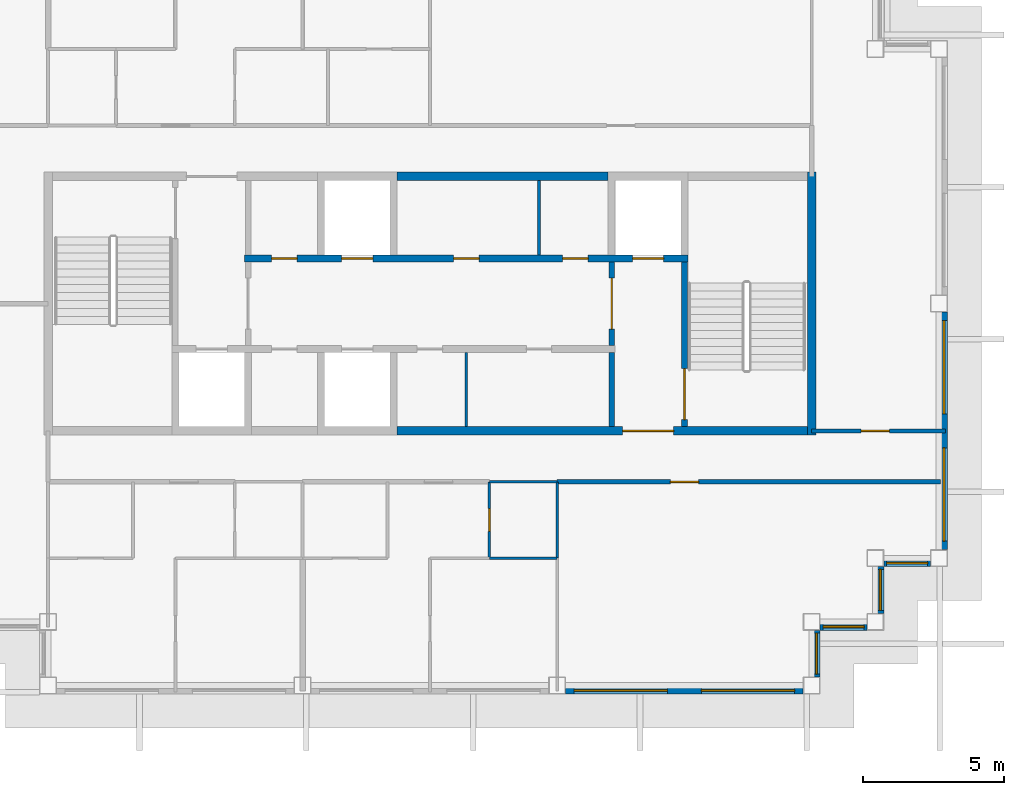
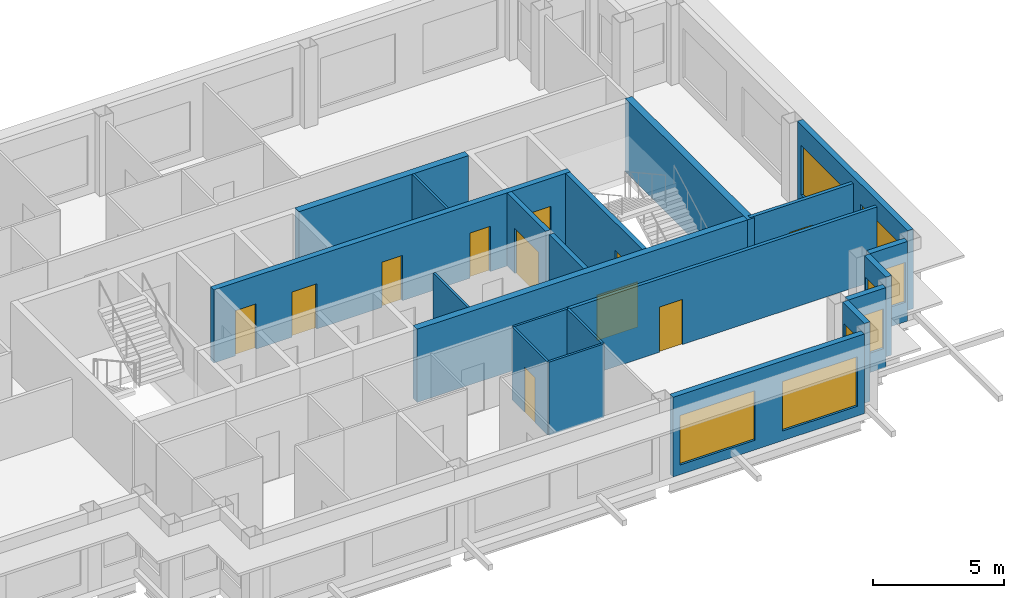
# One storey, part 5 of 11: 21 walls, 11 doors, 8 windows, 19 openings.
"""IFC4 building model written with IfcOpenShell, lengths in metres."""

from ifc_helpers import new_model, si_unit, direction, frame, frame_2d, origin, place, context, subcontext, project, spatial, rectangle, extrude, material, layer, layer_set, type_object, element, fill, save


model = new_model("IFC4")

# Units and contexts
model_context = context("Model", 3, precision=1e-05, world=origin(), true_north=direction((0.0, 1.0)))
body_context = subcontext(model_context, "Body", "Model", "MODEL_VIEW")
ifc_project = project(units=[si_unit("LENGTHUNIT", "METRE"), si_unit("AREAUNIT", "SQUARE_METRE"), si_unit("VOLUMEUNIT", "CUBIC_METRE"), si_unit("PLANEANGLEUNIT", "RADIAN"), si_unit("MASSUNIT", "GRAM", prefix="KILO")], contexts=[model_context])

# Site, building, storey
site_placement = place(None, origin())
site = spatial("IfcSite", under=ifc_project, at=site_placement, CompositionType="ELEMENT")
building_placement = place(site_placement, origin())
building = spatial("IfcBuilding", under=site, at=building_placement, Name="Caravel Reach Hotel and Residences", CompositionType="ELEMENT")
storey_placement = place(building_placement, frame((0.0, 0.0, 249.0)))
storey = spatial("IfcBuildingStorey", under=building, at=storey_placement, Name="L63", CompositionType="ELEMENT", Elevation=249.0)

# Walls
ifc_material_1 = material(Name="Gypsum board on steel stud", Category="steel")
ifc_layer_1 = layer(ifc_material_1, 0.10009765625)
ifc_layer_set_1 = layer_set([ifc_layer_1], Name="Bathroom pod wall 100 mm")
wall_type_1 = type_object("IfcWallType", Name="Bathroom pod wall 100 mm", PredefinedType="PARTITIONING", material=ifc_layer_set_1)
for number, where, z_axis, x_axis, name in (
    (1, (33.60009765625, 18.0, 0.0), (0.0, 0.0, 1.0), (1.0, 0.0, 0.0), "L63 wall w054"),
    (2, (33.60009765625, 20.699951171875, 0.0), (0.0, 0.0, 1.0), (1.0, 0.0, 0.0), "L63 wall w056"),
):
    element("IfcWall", number, at=place(storey_placement, frame(where, z_axis=z_axis, x_axis=x_axis)), inside=storey, type_object=wall_type_1, Name=name, PredefinedType="PARTITIONING", context=body_context, shape_type="SweptSolid", body=[
        extrude(rectangle(XDim=2.39990234375, YDim=0.10009765625, at=frame_2d((1.199951171875, 0.0))), origin(), (0.0, 0.0, 1.0), 3.39990234375),
    ])

# Wall, opening, door
wall_1_placement = place(storey_placement, frame((33.60009765625, 18.0, 0.0), z_axis=(0.0, 0.0, 1.0), x_axis=(0.0, 1.0, 0.0)))
wall_1 = element("IfcWall", 3, at=wall_1_placement, inside=storey, type_object=wall_type_1, Name="L63 wall w065", PredefinedType="PARTITIONING", context=body_context, shape_type="SweptSolid", body=[
    extrude(rectangle(XDim=2.699951171875, YDim=0.10009765625, at=frame_2d((1.35009765625, 0.0))), origin(), (0.0, 0.0, 1.0), 3.39990234375),
])
opening_1_placement = place(wall_1_placement, frame((0.949951171875, 0.0, 0.0)))
opening_1 = element("IfcOpeningElement", 4, at=opening_1_placement, cuts=wall_1, Name="Opening D63-035", PredefinedType="OPENING", context=body_context, shape_type="SweptSolid", body=[
    extrude(rectangle(XDim=0.800048828125, YDim=2.10009765625, at=frame_2d((0.39990234375, 1.050048828125))), frame((0.0, 0.06005859375, 0.0), z_axis=(0.0, -1.0, 0.0), x_axis=(1.0, 0.0, 0.0)), (0.0, 0.0, 1.0), 0.1201171875),
])
ifc_material_2 = material(Name="Timber and steel door leaf", Category="steel")
door_type_1 = type_object("IfcDoorType", Name="Bathroom door 800 x 2100", OperationType="SINGLE_SWING_LEFT", PredefinedType="DOOR", material=ifc_material_2)
door_1_placement = place(opening_1_placement, origin())
door_1 = element("IfcDoor", 5, at=door_1_placement, inside=storey, type_object=door_type_1, Name="door D63-035", OperationType="SINGLE_SWING_RIGHT", OverallHeight=2.10009765625, OverallWidth=0.800048828125, PredefinedType="DOOR", context=body_context, shape_type="SweptSolid", body=[
    extrude(rectangle(XDim=0.800048828125, YDim=2.10009765625, at=frame_2d((0.39990234375, 1.050048828125))), frame((0.0, 0.02490234375, 0.0), z_axis=(0.0, -1.0, 0.0), x_axis=(1.0, 0.0, 0.0)), (0.0, 0.0, 1.0), 0.050048828125),
])
fill(opening_1, door_1)

# Walls
wall_2_placement = place(storey_placement, frame((36.0, 18.0, 0.0), z_axis=(0.0, 0.0, 1.0), x_axis=(0.0, 1.0, 0.0)))
element("IfcWall", 6, at=wall_2_placement, inside=storey, type_object=wall_type_1, Name="L63 wall w066", PredefinedType="PARTITIONING", context=body_context, shape_type="SweptSolid", body=[
    extrude(rectangle(XDim=2.699951171875, YDim=0.10009765625, at=frame_2d((1.35009765625, 0.0))), origin(), (0.0, 0.0, 1.0), 3.39990234375),
])
ifc_material_3 = material(Name="Autoclaved aerated block wall")
ifc_layer_2 = layer(ifc_material_3, 0.199951171875)
ifc_layer_set_2 = layer_set([ifc_layer_2], Name="Compartment wall 200 mm EI 120")
wall_type_2 = type_object("IfcWallType", Name="Compartment wall 200 mm EI 120", PredefinedType="PARTITIONING", material=ifc_layer_set_2)
wall_3_placement = place(storey_placement, frame((37.928466796875, 22.64990234375, 0.0), z_axis=(0.0, 0.0, 1.0), x_axis=(0.0, 1.0, 0.0)))
element("IfcWall", 7, at=wall_3_placement, inside=storey, type_object=wall_type_2, Name="L63 store partition", PredefinedType="PARTITIONING", context=body_context, shape_type="SweptSolid", body=[
    extrude(rectangle(XDim=2.625, YDim=0.199951171875, at=frame_2d((1.3125, 0.0))), origin(), (0.0, 0.0, 1.0), 3.39990234375),
])

# Wall, opening, door
ifc_material_4 = material(Name="Concrete C60", Category="concrete")
ifc_layer_3 = layer(ifc_material_4, 0.300048828125)
ifc_layer_set_3 = layer_set([ifc_layer_3], Name="Core wall 300 mm EI 120")
wall_type_3 = type_object("IfcWallType", Name="Core wall 300 mm EI 120", PredefinedType="SHEAR", material=ifc_layer_set_3)
wall_4_placement = place(storey_placement, frame((30.33935546875, 22.5, 0.0), z_axis=(0.0, 0.0, 1.0), x_axis=(1.0, 0.0, 0.0)))
wall_4 = element("IfcWall", 8, at=wall_4_placement, inside=storey, type_object=wall_type_3, Name="L63 core wall S3", PredefinedType="SHEAR", context=body_context, shape_type="SweptSolid", body=[
    extrude(rectangle(XDim=14.5107421875, YDim=0.300048828125, at=frame_2d((7.25537109375, 0.0))), origin(), (0.0, 0.0, 1.0), 3.39990234375),
])
opening_2_placement = place(wall_4_placement, frame((7.97509765625, 0.0, 0.0)))
opening_2 = element("IfcOpeningElement", 9, at=opening_2_placement, cuts=wall_4, Name="Opening D63-016", PredefinedType="OPENING", context=body_context, shape_type="SweptSolid", body=[
    extrude(rectangle(XDim=1.800048828125, YDim=2.10009765625, at=frame_2d((0.89990234375, 1.050048828125))), frame((0.0, 0.159912109375, 0.0), z_axis=(0.0, -1.0, 0.0), x_axis=(1.0, 0.0, 0.0)), (0.0, 0.0, 1.0), 0.320068359375),
])
ifc_material_5 = material(Name="Steel fire door leaf", Category="steel")
door_type_2 = type_object("IfcDoorType", Name="Fire lobby door pair 1800 x 2100 EI 90", OperationType="DOUBLE_DOOR_SINGLE_SWING", PredefinedType="DOOR", material=ifc_material_5)
door_2_placement = place(opening_2_placement, origin())
door_2 = element("IfcDoor", 10, at=door_2_placement, inside=storey, type_object=door_type_2, Name="lobby S door pair to corridor", OperationType="DOUBLE_DOOR_SINGLE_SWING", OverallHeight=2.10009765625, OverallWidth=1.800048828125, PredefinedType="DOOR", context=body_context, shape_type="SweptSolid", body=[
    extrude(rectangle(XDim=1.800048828125, YDim=2.10009765625, at=frame_2d((0.89990234375, 1.050048828125))), frame((0.0, 0.02490234375, 0.0), z_axis=(0.0, -1.0, 0.0), x_axis=(1.0, 0.0, 0.0)), (0.0, 0.0, 1.0), 0.050048828125),
])
fill(opening_2, door_2)

# Walls
wall_5_placement = place(storey_placement, frame((30.33935546875, 31.5, 0.0), z_axis=(0.0, 0.0, 1.0), x_axis=(1.0, 0.0, 0.0)))
element("IfcWall", 11, at=wall_5_placement, inside=storey, type_object=wall_type_3, Name="L63 core wall N2", PredefinedType="SHEAR", context=body_context, shape_type="SweptSolid", body=[
    extrude(rectangle(XDim=7.464111328125, YDim=0.300048828125, at=frame_2d((3.73193359375, 0.0))), origin(), (0.0, 0.0, 1.0), 3.39990234375),
])
wall_6_placement = place(storey_placement, frame((45.0, 22.35009765625, 0.0), z_axis=(0.0, 0.0, 1.0), x_axis=(0.0, 1.0, 0.0)))
element("IfcWall", 12, at=wall_6_placement, inside=storey, type_object=wall_type_3, Name="L63 core wall E", PredefinedType="SHEAR", context=body_context, shape_type="SweptSolid", body=[
    extrude(rectangle(XDim=9.2998046875, YDim=0.300048828125, at=frame_2d((4.64990234375, 0.0))), origin(), (0.0, 0.0, 1.0), 3.39990234375),
])

# Wall, opening, door
ifc_material_6 = material(Name="Gypsum board on steel stud, fire-rated", Category="steel")
ifc_layer_4 = layer(ifc_material_6, 0.14990234375)
ifc_layer_set_4 = layer_set([ifc_layer_4], Name="Corridor wall 150 mm EI 60")
wall_type_4 = type_object("IfcWallType", Name="Corridor wall 150 mm EI 60", PredefinedType="PARTITIONING", material=ifc_layer_set_4)
wall_7_placement = place(storey_placement, frame((36.0, 20.699951171875, 0.0), z_axis=(0.0, 0.0, 1.0), x_axis=(1.0, 0.0, 0.0)))
wall_7 = element("IfcWall", 13, at=wall_7_placement, inside=storey, type_object=wall_type_4, Name="L63 wall w005", PredefinedType="PARTITIONING", context=body_context, shape_type="SweptSolid", body=[
    extrude(rectangle(XDim=13.550048828125, YDim=0.14990234375, at=frame_2d((6.77490234375, 0.0))), origin(), (0.0, 0.0, 1.0), 3.39990234375),
])
opening_3_placement = place(wall_7_placement, frame((4.0, 0.0, 0.0)))
opening_3 = element("IfcOpeningElement", 14, at=opening_3_placement, cuts=wall_7, Name="Opening D63-037", PredefinedType="OPENING", context=body_context, shape_type="SweptSolid", body=[
    extrude(rectangle(XDim=1.0, YDim=2.10009765625, at=frame_2d((0.5, 1.050048828125))), frame((0.0, 0.0849609375, 0.0), z_axis=(0.0, -1.0, 0.0), x_axis=(1.0, 0.0, 0.0)), (0.0, 0.0, 1.0), 0.169921875),
])
ifc_material_7 = material(Name="Steel fire door leaf", Category="steel")
door_type_3 = type_object("IfcDoorType", Name="Fire door 1000 x 2100 EI 60", OperationType="SINGLE_SWING_LEFT", PredefinedType="DOOR", material=ifc_material_7)
door_3_placement = place(opening_3_placement, origin())
door_3 = element("IfcDoor", 15, at=door_3_placement, inside=storey, type_object=door_type_3, Name="door D63-037", OperationType="SINGLE_SWING_RIGHT", OverallHeight=2.10009765625, OverallWidth=1.0, PredefinedType="DOOR", context=body_context, shape_type="SweptSolid", body=[
    extrude(rectangle(XDim=1.0, YDim=2.10009765625, at=frame_2d((0.5, 1.050048828125))), frame((0.0, 0.02490234375, 0.0), z_axis=(0.0, -1.0, 0.0), x_axis=(1.0, 0.0, 0.0)), (0.0, 0.0, 1.0), 0.050048828125),
])
fill(opening_3, door_3)

wall_8_placement = place(storey_placement, frame((45.0, 22.5, 0.0), z_axis=(0.0, 0.0, 1.0), x_axis=(1.0, 0.0, 0.0)))
wall_8 = element("IfcWall", 16, at=wall_8_placement, inside=storey, type_object=wall_type_4, Name="L63 wall w007", PredefinedType="PARTITIONING", context=body_context, shape_type="SweptSolid", body=[
    extrude(rectangle(XDim=4.739990234375, YDim=0.14990234375, at=frame_2d((2.3701171875, 0.0))), origin(), (0.0, 0.0, 1.0), 3.39990234375),
])
opening_4_placement = place(wall_8_placement, frame((1.75, 0.0, 0.0)))
opening_4 = element("IfcOpeningElement", 17, at=opening_4_placement, cuts=wall_8, Name="Opening D63-039", PredefinedType="OPENING", context=body_context, shape_type="SweptSolid", body=[
    extrude(rectangle(XDim=1.0, YDim=2.10009765625, at=frame_2d((0.5, 1.050048828125))), frame((0.0, 0.0849609375, 0.0), z_axis=(0.0, -1.0, 0.0), x_axis=(1.0, 0.0, 0.0)), (0.0, 0.0, 1.0), 0.169921875),
])
door_4_placement = place(opening_4_placement, origin())
door_4 = element("IfcDoor", 18, at=door_4_placement, inside=storey, type_object=door_type_3, Name="door D63-039", OperationType="SINGLE_SWING_LEFT", OverallHeight=2.10009765625, OverallWidth=1.0, PredefinedType="DOOR", context=body_context, shape_type="SweptSolid", body=[
    extrude(rectangle(XDim=1.0, YDim=2.10009765625, at=frame_2d((0.5, 1.050048828125))), frame((0.0, 0.02490234375, 0.0), z_axis=(0.0, -1.0, 0.0), x_axis=(1.0, 0.0, 0.0)), (0.0, 0.0, 1.0), 0.050048828125),
])
fill(opening_4, door_4)

# Wall, openings, windows
ifc_material_8 = material(Name="Insulated rainscreen wall, aluminium cladding", Category="aluminium")
ifc_layer_5 = layer(ifc_material_8, 0.25)
ifc_layer_set_5 = layer_set([ifc_layer_5], Name="EW1 Tower rainscreen wall")
wall_type_5 = type_object("IfcWallType", Name="EW1 Tower rainscreen wall", PredefinedType="SOLIDWALL", material=ifc_layer_set_5)
wall_9_placement = place(storey_placement, frame((36.300048828125, 13.324951171875, 0.0), z_axis=(0.0, 0.0, 1.0), x_axis=(1.0, 0.0, 0.0)))
wall_9 = element("IfcWall", 19, at=wall_9_placement, inside=storey, type_object=wall_type_5, Name="External wall L63 S4.3", PredefinedType="SOLIDWALL", context=body_context, shape_type="SweptSolid", body=[
    extrude(rectangle(XDim=8.39990234375, YDim=0.25, at=frame_2d((4.199951171875, 0.0))), origin(), (0.0, 0.0, 1.0), 3.699951171875),
])
opening_5_placement = place(wall_9_placement, frame((0.300048828125, 0.0, 0.449951171875)))
opening_5 = element("IfcOpeningElement", 20, at=opening_5_placement, cuts=wall_9, Name="Opening WN15", PredefinedType="OPENING", context=body_context, shape_type="SweptSolid", body=[
    extrude(rectangle(XDim=3.300048828125, YDim=2.300048828125, at=frame_2d((1.64990234375, 1.14990234375))), frame((0.0, 0.135009765625, 0.0), z_axis=(0.0, -1.0, 0.0), x_axis=(1.0, 0.0, 0.0)), (0.0, 0.0, 1.0), 0.27001953125),
])
opening_6_placement = place(wall_9_placement, frame((4.800048828125, 0.0, 0.449951171875)))
opening_6 = element("IfcOpeningElement", 21, at=opening_6_placement, cuts=wall_9, Name="Opening WN15", PredefinedType="OPENING", context=body_context, shape_type="SweptSolid", body=[
    extrude(rectangle(XDim=3.300048828125, YDim=2.300048828125, at=frame_2d((1.64990234375, 1.14990234375))), frame((0.0, 0.135009765625, 0.0), z_axis=(0.0, -1.0, 0.0), x_axis=(1.0, 0.0, 0.0)), (0.0, 0.0, 1.0), 0.27001953125),
])
ifc_material_9 = material(Name="Dark low-e glazing in black aluminium frame", Category="aluminium")
window_type_1 = type_object("IfcWindowType", Name="Residence living window 3300 x 2300", PartitioningType="SINGLE_PANEL", PredefinedType="WINDOW", material=ifc_material_9)
window_1_placement = place(opening_5_placement, origin())
window_1 = element("IfcWindow", 22, at=window_1_placement, inside=storey, type_object=window_type_1, Name="Window L63 S4.3.1", OverallHeight=2.300048828125, OverallWidth=3.300048828125, PartitioningType="SINGLE_PANEL", PredefinedType="WINDOW", context=body_context, shape_type="SweptSolid", body=[
    extrude(rectangle(XDim=3.300048828125, YDim=2.300048828125, at=frame_2d((1.64990234375, 1.14990234375))), frame((0.0, 0.030029296875, 0.0), z_axis=(0.0, -1.0, 0.0), x_axis=(1.0, 0.0, 0.0)), (0.0, 0.0, 1.0), 0.06005859375),
])
fill(opening_5, window_1)
window_2_placement = place(opening_6_placement, origin())
window_2 = element("IfcWindow", 23, at=window_2_placement, inside=storey, type_object=window_type_1, Name="Window L63 S4.3.2", OverallHeight=2.300048828125, OverallWidth=3.300048828125, PartitioningType="SINGLE_PANEL", PredefinedType="WINDOW", context=body_context, shape_type="SweptSolid", body=[
    extrude(rectangle(XDim=3.300048828125, YDim=2.300048828125, at=frame_2d((1.64990234375, 1.14990234375))), frame((0.0, 0.030029296875, 0.0), z_axis=(0.0, -1.0, 0.0), x_axis=(1.0, 0.0, 0.0)), (0.0, 0.0, 1.0), 0.06005859375),
])
fill(opening_6, window_2)

# Wall, opening, window
wall_10_placement = place(storey_placement, frame((45.175048828125, 13.800048828125, 0.0), z_axis=(0.0, 0.0, 1.0), x_axis=(0.0, 1.0, 0.0)))
wall_10 = element("IfcWall", 24, at=wall_10_placement, inside=storey, type_object=wall_type_5, Name="External wall L63 E5.1", PredefinedType="SOLIDWALL", context=body_context, shape_type="SweptSolid", body=[
    extrude(rectangle(XDim=1.64990234375, YDim=0.25, at=frame_2d((0.824951171875, 0.0))), origin(), (0.0, 0.0, 1.0), 3.699951171875),
])
opening_7_placement = place(wall_10_placement, frame((0.10009765625, 0.0, 0.89990234375)))
opening_7 = element("IfcOpeningElement", 25, at=opening_7_placement, cuts=wall_10, Name="Opening WN25", PredefinedType="OPENING", context=body_context, shape_type="SweptSolid", body=[
    extrude(rectangle(XDim=1.449951171875, YDim=1.85009765625, at=frame_2d((0.72509765625, 0.925048828125))), frame((0.0, 0.135009765625, 0.0), z_axis=(0.0, -1.0, 0.0), x_axis=(1.0, 0.0, 0.0)), (0.0, 0.0, 1.0), 0.27001953125),
])
ifc_material_10 = material(Name="Dark low-e glazing in black aluminium frame", Category="aluminium")
window_type_2 = type_object("IfcWindowType", Name="Residence bedroom window 1450 x 1850", PartitioningType="SINGLE_PANEL", PredefinedType="WINDOW", material=ifc_material_10)
window_3_placement = place(opening_7_placement, origin())
window_3 = element("IfcWindow", 26, at=window_3_placement, inside=storey, type_object=window_type_2, Name="Window L63 E5.1.1", OverallHeight=1.85009765625, OverallWidth=1.449951171875, PartitioningType="SINGLE_PANEL", PredefinedType="WINDOW", context=body_context, shape_type="SweptSolid", body=[
    extrude(rectangle(XDim=1.449951171875, YDim=1.85009765625, at=frame_2d((0.72509765625, 0.925048828125))), frame((0.0, 0.030029296875, 0.0), z_axis=(0.0, -1.0, 0.0), x_axis=(1.0, 0.0, 0.0)), (0.0, 0.0, 1.0), 0.06005859375),
])
fill(opening_7, window_3)

wall_11_placement = place(storey_placement, frame((45.300048828125, 15.574951171875, 0.0), z_axis=(0.0, 0.0, 1.0), x_axis=(1.0, 0.0, 0.0)))
wall_11 = element("IfcWall", 27, at=wall_11_placement, inside=storey, type_object=wall_type_5, Name="External wall L63 S6.1", PredefinedType="SOLIDWALL", context=body_context, shape_type="SweptSolid", body=[
    extrude(rectangle(XDim=1.64990234375, YDim=0.25, at=frame_2d((0.824951171875, 0.0))), origin(), (0.0, 0.0, 1.0), 3.699951171875),
])
opening_8_placement = place(wall_11_placement, frame((0.10009765625, 0.0, 0.89990234375)))
opening_8 = element("IfcOpeningElement", 28, at=opening_8_placement, cuts=wall_11, Name="Opening WN25", PredefinedType="OPENING", context=body_context, shape_type="SweptSolid", body=[
    extrude(rectangle(XDim=1.449951171875, YDim=1.85009765625, at=frame_2d((0.72509765625, 0.925048828125))), frame((0.0, 0.135009765625, 0.0), z_axis=(0.0, -1.0, 0.0), x_axis=(1.0, 0.0, 0.0)), (0.0, 0.0, 1.0), 0.27001953125),
])
window_4_placement = place(opening_8_placement, origin())
window_4 = element("IfcWindow", 29, at=window_4_placement, inside=storey, type_object=window_type_2, Name="Window L63 S6.1.1", OverallHeight=1.85009765625, OverallWidth=1.449951171875, PartitioningType="SINGLE_PANEL", PredefinedType="WINDOW", context=body_context, shape_type="SweptSolid", body=[
    extrude(rectangle(XDim=1.449951171875, YDim=1.85009765625, at=frame_2d((0.72509765625, 0.925048828125))), frame((0.0, 0.030029296875, 0.0), z_axis=(0.0, -1.0, 0.0), x_axis=(1.0, 0.0, 0.0)), (0.0, 0.0, 1.0), 0.06005859375),
])
fill(opening_8, window_4)

wall_12_placement = place(storey_placement, frame((47.425048828125, 16.050048828125, 0.0), z_axis=(0.0, 0.0, 1.0), x_axis=(0.0, 1.0, 0.0)))
wall_12 = element("IfcWall", 30, at=wall_12_placement, inside=storey, type_object=wall_type_5, Name="External wall L63 E7.1", PredefinedType="SOLIDWALL", context=body_context, shape_type="SweptSolid", body=[
    extrude(rectangle(XDim=1.64990234375, YDim=0.25, at=frame_2d((0.824951171875, 0.0))), origin(), (0.0, 0.0, 1.0), 3.699951171875),
])
opening_9_placement = place(wall_12_placement, frame((0.10009765625, 0.0, 0.89990234375)))
opening_9 = element("IfcOpeningElement", 31, at=opening_9_placement, cuts=wall_12, Name="Opening WN25", PredefinedType="OPENING", context=body_context, shape_type="SweptSolid", body=[
    extrude(rectangle(XDim=1.449951171875, YDim=1.85009765625, at=frame_2d((0.72509765625, 0.925048828125))), frame((0.0, 0.135009765625, 0.0), z_axis=(0.0, -1.0, 0.0), x_axis=(1.0, 0.0, 0.0)), (0.0, 0.0, 1.0), 0.27001953125),
])
window_5_placement = place(opening_9_placement, origin())
window_5 = element("IfcWindow", 32, at=window_5_placement, inside=storey, type_object=window_type_2, Name="Window L63 E7.1.1", OverallHeight=1.85009765625, OverallWidth=1.449951171875, PartitioningType="SINGLE_PANEL", PredefinedType="WINDOW", context=body_context, shape_type="SweptSolid", body=[
    extrude(rectangle(XDim=1.449951171875, YDim=1.85009765625, at=frame_2d((0.72509765625, 0.925048828125))), frame((0.0, 0.030029296875, 0.0), z_axis=(0.0, -1.0, 0.0), x_axis=(1.0, 0.0, 0.0)), (0.0, 0.0, 1.0), 0.06005859375),
])
fill(opening_9, window_5)

wall_13_placement = place(storey_placement, frame((47.550048828125, 17.824951171875, 0.0), z_axis=(0.0, 0.0, 1.0), x_axis=(1.0, 0.0, 0.0)))
wall_13 = element("IfcWall", 33, at=wall_13_placement, inside=storey, type_object=wall_type_5, Name="External wall L63 S8.1", PredefinedType="SOLIDWALL", context=body_context, shape_type="SweptSolid", body=[
    extrude(rectangle(XDim=1.64990234375, YDim=0.25, at=frame_2d((0.824951171875, 0.0))), origin(), (0.0, 0.0, 1.0), 3.699951171875),
])
opening_10_placement = place(wall_13_placement, frame((0.10009765625, 0.0, 0.89990234375)))
opening_10 = element("IfcOpeningElement", 34, at=opening_10_placement, cuts=wall_13, Name="Opening WN25", PredefinedType="OPENING", context=body_context, shape_type="SweptSolid", body=[
    extrude(rectangle(XDim=1.449951171875, YDim=1.85009765625, at=frame_2d((0.72509765625, 0.925048828125))), frame((0.0, 0.135009765625, 0.0), z_axis=(0.0, -1.0, 0.0), x_axis=(1.0, 0.0, 0.0)), (0.0, 0.0, 1.0), 0.27001953125),
])
window_6_placement = place(opening_10_placement, origin())
window_6 = element("IfcWindow", 35, at=window_6_placement, inside=storey, type_object=window_type_2, Name="Window L63 S8.1.1", OverallHeight=1.85009765625, OverallWidth=1.449951171875, PartitioningType="SINGLE_PANEL", PredefinedType="WINDOW", context=body_context, shape_type="SweptSolid", body=[
    extrude(rectangle(XDim=1.449951171875, YDim=1.85009765625, at=frame_2d((0.72509765625, 0.925048828125))), frame((0.0, 0.030029296875, 0.0), z_axis=(0.0, -1.0, 0.0), x_axis=(1.0, 0.0, 0.0)), (0.0, 0.0, 1.0), 0.06005859375),
])
fill(opening_10, window_6)

# Wall, openings, windows
wall_14_placement = place(storey_placement, frame((49.675048828125, 18.300048828125, 0.0), z_axis=(0.0, 0.0, 1.0), x_axis=(0.0, 1.0, 0.0)))
wall_14 = element("IfcWall", 36, at=wall_14_placement, inside=storey, type_object=wall_type_5, Name="External wall L63 E9.1", PredefinedType="SOLIDWALL", context=body_context, shape_type="SweptSolid", body=[
    extrude(rectangle(XDim=8.39990234375, YDim=0.25, at=frame_2d((4.199951171875, 0.0))), origin(), (0.0, 0.0, 1.0), 3.699951171875),
])
opening_11_placement = place(wall_14_placement, frame((0.300048828125, 0.0, 0.449951171875)))
opening_11 = element("IfcOpeningElement", 37, at=opening_11_placement, cuts=wall_14, Name="Opening WN15", PredefinedType="OPENING", context=body_context, shape_type="SweptSolid", body=[
    extrude(rectangle(XDim=3.300048828125, YDim=2.300048828125, at=frame_2d((1.64990234375, 1.14990234375))), frame((0.0, 0.135009765625, 0.0), z_axis=(0.0, -1.0, 0.0), x_axis=(1.0, 0.0, 0.0)), (0.0, 0.0, 1.0), 0.27001953125),
])
opening_12_placement = place(wall_14_placement, frame((4.800048828125, 0.0, 0.449951171875)))
opening_12 = element("IfcOpeningElement", 38, at=opening_12_placement, cuts=wall_14, Name="Opening WN15", PredefinedType="OPENING", context=body_context, shape_type="SweptSolid", body=[
    extrude(rectangle(XDim=3.300048828125, YDim=2.300048828125, at=frame_2d((1.64990234375, 1.14990234375))), frame((0.0, 0.135009765625, 0.0), z_axis=(0.0, -1.0, 0.0), x_axis=(1.0, 0.0, 0.0)), (0.0, 0.0, 1.0), 0.27001953125),
])
window_7_placement = place(opening_11_placement, origin())
window_7 = element("IfcWindow", 39, at=window_7_placement, inside=storey, type_object=window_type_1, Name="Window L63 E9.1.1", OverallHeight=2.300048828125, OverallWidth=3.300048828125, PartitioningType="SINGLE_PANEL", PredefinedType="WINDOW", context=body_context, shape_type="SweptSolid", body=[
    extrude(rectangle(XDim=3.300048828125, YDim=2.300048828125, at=frame_2d((1.64990234375, 1.14990234375))), frame((0.0, 0.030029296875, 0.0), z_axis=(0.0, -1.0, 0.0), x_axis=(1.0, 0.0, 0.0)), (0.0, 0.0, 1.0), 0.06005859375),
])
fill(opening_11, window_7)
window_8_placement = place(opening_12_placement, origin())
window_8 = element("IfcWindow", 40, at=window_8_placement, inside=storey, type_object=window_type_1, Name="Window L63 E9.1.2", OverallHeight=2.300048828125, OverallWidth=3.300048828125, PartitioningType="SINGLE_PANEL", PredefinedType="WINDOW", context=body_context, shape_type="SweptSolid", body=[
    extrude(rectangle(XDim=3.300048828125, YDim=2.300048828125, at=frame_2d((1.64990234375, 1.14990234375))), frame((0.0, 0.030029296875, 0.0), z_axis=(0.0, -1.0, 0.0), x_axis=(1.0, 0.0, 0.0)), (0.0, 0.0, 1.0), 0.06005859375),
])
fill(opening_12, window_8)

# Wall, opening, door
ifc_material_11 = material(Name="Autoclaved aerated block wall")
ifc_layer_6 = layer(ifc_material_11, 0.199951171875)
ifc_layer_set_6 = layer_set([ifc_layer_6], Name="Fire lobby wall 200 mm EI 120")
wall_type_6 = type_object("IfcWallType", Name="Fire lobby wall 200 mm EI 120", PredefinedType="PARTITIONING", material=ifc_layer_set_6)
wall_15_placement = place(storey_placement, frame((37.928466796875, 25.52490234375, 0.0), z_axis=(0.0, 0.0, 1.0), x_axis=(0.0, 1.0, 0.0)))
wall_15 = element("IfcWall", 41, at=wall_15_placement, inside=storey, type_object=wall_type_6, Name="L63 lobby E wall", PredefinedType="PARTITIONING", context=body_context, shape_type="SweptSolid", body=[
    extrude(rectangle(XDim=2.9501953125, YDim=0.199951171875, at=frame_2d((1.47509765625, 0.0))), origin(), (0.0, 0.0, 1.0), 3.39990234375),
])
opening_13_placement = place(wall_15_placement, frame((0.574951171875, 0.0, 0.0)))
opening_13 = element("IfcOpeningElement", 42, at=opening_13_placement, cuts=wall_15, Name="Opening D63-014", PredefinedType="OPENING", context=body_context, shape_type="SweptSolid", body=[
    extrude(rectangle(XDim=1.800048828125, YDim=2.10009765625, at=frame_2d((0.89990234375, 1.050048828125))), frame((0.0, 0.10986328125, 0.0), z_axis=(0.0, -1.0, 0.0), x_axis=(1.0, 0.0, 0.0)), (0.0, 0.0, 1.0), 0.219970703125),
])
door_5_placement = place(opening_13_placement, origin())
door_5 = element("IfcDoor", 43, at=door_5_placement, inside=storey, type_object=door_type_2, Name="lobby E door pair", OperationType="DOUBLE_DOOR_SINGLE_SWING", OverallHeight=2.10009765625, OverallWidth=1.800048828125, PredefinedType="DOOR", context=body_context, shape_type="SweptSolid", body=[
    extrude(rectangle(XDim=1.800048828125, YDim=2.10009765625, at=frame_2d((0.89990234375, 1.050048828125))), frame((0.0, 0.02490234375, 0.0), z_axis=(0.0, -1.0, 0.0), x_axis=(1.0, 0.0, 0.0)), (0.0, 0.0, 1.0), 0.050048828125),
])
fill(opening_13, door_5)

# Walls
ifc_material_12 = material(Name="Gypsum board on steel stud", Category="steel")
ifc_layer_7 = layer(ifc_material_12, 0.10009765625)
ifc_layer_set_7 = layer_set([ifc_layer_7], Name="Partition 100 mm")
wall_type_7 = type_object("IfcWallType", Name="Partition 100 mm", PredefinedType="PARTITIONING", material=ifc_layer_set_7)
for number, where, z_axis, x_axis, name in (
    (44, (32.78564453125, 22.64990234375, 0.0), (0.0, 0.0, 1.0), (0.0, 1.0, 0.0), "L63 store partition"),
    (45, (35.357177734375, 28.72509765625, 0.0), (0.0, 0.0, 1.0), (0.0, 1.0, 0.0), "L63 store partition"),
):
    element("IfcWall", number, at=place(storey_placement, frame(where, z_axis=z_axis, x_axis=x_axis)), inside=storey, type_object=wall_type_7, Name=name, PredefinedType="PARTITIONING", context=body_context, shape_type="SweptSolid", body=[
        extrude(rectangle(XDim=2.625, YDim=0.10009765625, at=frame_2d((1.3125, 0.0))), origin(), (0.0, 0.0, 1.0), 3.39990234375),
    ])

# Wall, openings, doors
ifc_material_13 = material(Name="Concrete C60", Category="concrete")
ifc_layer_8 = layer(ifc_material_13, 0.25)
ifc_layer_set_8 = layer_set([ifc_layer_8], Name="Shaft wall 250 mm EI 120")
wall_type_8 = type_object("IfcWallType", Name="Shaft wall 250 mm EI 120", PredefinedType="SHEAR", material=ifc_layer_set_8)
wall_16_placement = place(storey_placement, frame((24.946533203125, 28.60009765625, 0.0), z_axis=(0.0, 0.0, 1.0), x_axis=(1.0, 0.0, 0.0)))
wall_16 = element("IfcWall", 46, at=wall_16_placement, inside=storey, type_object=wall_type_8, Name="L63 lobby wall N1", PredefinedType="SHEAR", context=body_context, shape_type="SweptSolid", body=[
    extrude(rectangle(XDim=15.678466796875, YDim=0.25, at=frame_2d((7.83935546875, 0.0))), origin(), (0.0, 0.0, 1.0), 3.39990234375),
])
opening_14_placement = place(wall_16_placement, frame((3.43212890625, 0.0, 0.0)))
opening_14 = element("IfcOpeningElement", 47, at=opening_14_placement, cuts=wall_16, Name="Opening D63-002", PredefinedType="OPENING", context=body_context, shape_type="SweptSolid", body=[
    extrude(rectangle(XDim=1.10009765625, YDim=2.10009765625, at=frame_2d((0.550048828125, 1.050048828125))), frame((0.0, 0.135009765625, 0.0), z_axis=(0.0, -1.0, 0.0), x_axis=(1.0, 0.0, 0.0)), (0.0, 0.0, 1.0), 0.27001953125),
])
opening_15_placement = place(wall_16_placement, frame((13.718017578125, 0.0, 0.0)))
opening_15 = element("IfcOpeningElement", 48, at=opening_15_placement, cuts=wall_16, Name="Opening D63-004", PredefinedType="OPENING", context=body_context, shape_type="SweptSolid", body=[
    extrude(rectangle(XDim=1.10009765625, YDim=2.10009765625, at=frame_2d((0.550048828125, 1.050048828125))), frame((0.0, 0.135009765625, 0.0), z_axis=(0.0, -1.0, 0.0), x_axis=(1.0, 0.0, 0.0)), (0.0, 0.0, 1.0), 0.27001953125),
])
opening_16_placement = place(wall_16_placement, frame((0.960693359375, 0.0, 0.0)))
opening_16 = element("IfcOpeningElement", 49, at=opening_16_placement, cuts=wall_16, Name="Opening D63-008", PredefinedType="OPENING", context=body_context, shape_type="SweptSolid", body=[
    extrude(rectangle(XDim=0.89990234375, YDim=2.10009765625, at=frame_2d((0.449951171875, 1.050048828125))), frame((0.0, 0.135009765625, 0.0), z_axis=(0.0, -1.0, 0.0), x_axis=(1.0, 0.0, 0.0)), (0.0, 0.0, 1.0), 0.27001953125),
])
opening_17_placement = place(wall_16_placement, frame((7.389404296875, 0.0, 0.0)))
opening_17 = element("IfcOpeningElement", 50, at=opening_17_placement, cuts=wall_16, Name="Opening D63-009", PredefinedType="OPENING", context=body_context, shape_type="SweptSolid", body=[
    extrude(rectangle(XDim=0.89990234375, YDim=2.10009765625, at=frame_2d((0.449951171875, 1.050048828125))), frame((0.0, 0.135009765625, 0.0), z_axis=(0.0, -1.0, 0.0), x_axis=(1.0, 0.0, 0.0)), (0.0, 0.0, 1.0), 0.27001953125),
])
opening_18_placement = place(wall_16_placement, frame((11.246337890625, 0.0, 0.0)))
opening_18 = element("IfcOpeningElement", 51, at=opening_18_placement, cuts=wall_16, Name="Opening D63-010", PredefinedType="OPENING", context=body_context, shape_type="SweptSolid", body=[
    extrude(rectangle(XDim=0.89990234375, YDim=2.10009765625, at=frame_2d((0.449951171875, 1.050048828125))), frame((0.0, 0.135009765625, 0.0), z_axis=(0.0, -1.0, 0.0), x_axis=(1.0, 0.0, 0.0)), (0.0, 0.0, 1.0), 0.27001953125),
])
ifc_material_14 = material(Name="Stainless steel landing door", Category="steel")
door_type_4 = type_object("IfcDoorType", Name="Landing door LD 1100 x 2100 sliding", OperationType="DOUBLE_DOOR_SLIDING", PredefinedType="DOOR", material=ifc_material_14)
door_6_placement = place(opening_14_placement, origin())
door_6 = element("IfcDoor", 52, at=door_6_placement, inside=storey, type_object=door_type_4, Name="HP2 landing door", OperationType="DOUBLE_DOOR_SLIDING", OverallHeight=2.10009765625, OverallWidth=1.10009765625, PredefinedType="DOOR", context=body_context, shape_type="SweptSolid", body=[
    extrude(rectangle(XDim=1.10009765625, YDim=2.10009765625, at=frame_2d((0.550048828125, 1.050048828125))), frame((0.0, 0.02490234375, 0.0), z_axis=(0.0, -1.0, 0.0), x_axis=(1.0, 0.0, 0.0)), (0.0, 0.0, 1.0), 0.050048828125),
])
fill(opening_14, door_6)
door_7_placement = place(opening_15_placement, origin())
door_7 = element("IfcDoor", 53, at=door_7_placement, inside=storey, type_object=door_type_4, Name="FL2 landing door", OperationType="DOUBLE_DOOR_SLIDING", OverallHeight=2.10009765625, OverallWidth=1.10009765625, PredefinedType="DOOR", context=body_context, shape_type="SweptSolid", body=[
    extrude(rectangle(XDim=1.10009765625, YDim=2.10009765625, at=frame_2d((0.550048828125, 1.050048828125))), frame((0.0, 0.02490234375, 0.0), z_axis=(0.0, -1.0, 0.0), x_axis=(1.0, 0.0, 0.0)), (0.0, 0.0, 1.0), 0.050048828125),
])
fill(opening_15, door_7)
ifc_material_15 = material(Name="Steel fire door leaf", Category="steel")
door_type_5 = type_object("IfcDoorType", Name="Riser door 900 x 2100 EI 60", OperationType="SINGLE_SWING_LEFT", PredefinedType="DOOR", material=ifc_material_15)
door_8_placement = place(opening_16_placement, origin())
door_8 = element("IfcDoor", 54, at=door_8_placement, inside=storey, type_object=door_type_5, Name="Telecom room door", OperationType="SINGLE_SWING_LEFT", OverallHeight=2.10009765625, OverallWidth=0.89990234375, PredefinedType="DOOR", context=body_context, shape_type="SweptSolid", body=[
    extrude(rectangle(XDim=0.89990234375, YDim=2.10009765625, at=frame_2d((0.449951171875, 1.050048828125))), frame((0.0, 0.02490234375, 0.0), z_axis=(0.0, -1.0, 0.0), x_axis=(1.0, 0.0, 0.0)), (0.0, 0.0, 1.0), 0.050048828125),
])
fill(opening_16, door_8)
door_9_placement = place(opening_17_placement, origin())
door_9 = element("IfcDoor", 55, at=door_9_placement, inside=storey, type_object=door_type_5, Name="Recycling store door", OperationType="SINGLE_SWING_LEFT", OverallHeight=2.10009765625, OverallWidth=0.89990234375, PredefinedType="DOOR", context=body_context, shape_type="SweptSolid", body=[
    extrude(rectangle(XDim=0.89990234375, YDim=2.10009765625, at=frame_2d((0.449951171875, 1.050048828125))), frame((0.0, 0.02490234375, 0.0), z_axis=(0.0, -1.0, 0.0), x_axis=(1.0, 0.0, 0.0)), (0.0, 0.0, 1.0), 0.050048828125),
])
fill(opening_17, door_9)
door_10_placement = place(opening_18_placement, origin())
door_10 = element("IfcDoor", 56, at=door_10_placement, inside=storey, type_object=door_type_5, Name="Residents' store door", OperationType="SINGLE_SWING_LEFT", OverallHeight=2.10009765625, OverallWidth=0.89990234375, PredefinedType="DOOR", context=body_context, shape_type="SweptSolid", body=[
    extrude(rectangle(XDim=0.89990234375, YDim=2.10009765625, at=frame_2d((0.449951171875, 1.050048828125))), frame((0.0, 0.02490234375, 0.0), z_axis=(0.0, -1.0, 0.0), x_axis=(1.0, 0.0, 0.0)), (0.0, 0.0, 1.0), 0.050048828125),
])
fill(opening_18, door_10)

# Wall, opening, door
ifc_material_16 = material(Name="Concrete C60", Category="concrete")
ifc_layer_9 = layer(ifc_material_16, 0.199951171875)
ifc_layer_set_9 = layer_set([ifc_layer_9], Name="Stair enclosure wall 200 mm EI 120")
wall_type_9 = type_object("IfcWallType", Name="Stair enclosure wall 200 mm EI 120", PredefinedType="SHEAR", material=ifc_layer_set_9)
wall_17_placement = place(storey_placement, frame((40.5, 22.64990234375, 0.0), z_axis=(0.0, 0.0, 1.0), x_axis=(0.0, 1.0, 0.0)))
wall_17 = element("IfcWall", 57, at=wall_17_placement, inside=storey, type_object=wall_type_9, Name="L63 stair B wall", PredefinedType="SHEAR", context=body_context, shape_type="SweptSolid", body=[
    extrude(rectangle(XDim=5.8251953125, YDim=0.199951171875, at=frame_2d((2.91259765625, 0.0))), origin(), (0.0, 0.0, 1.0), 3.39990234375),
])
opening_19_placement = place(wall_17_placement, frame((0.25, 0.0, 0.0)))
opening_19 = element("IfcOpeningElement", 58, at=opening_19_placement, cuts=wall_17, Name="Opening D63-012", PredefinedType="OPENING", context=body_context, shape_type="SweptSolid", body=[
    extrude(rectangle(XDim=1.800048828125, YDim=2.10009765625, at=frame_2d((0.89990234375, 1.050048828125))), frame((0.0, 0.10986328125, 0.0), z_axis=(0.0, -1.0, 0.0), x_axis=(1.0, 0.0, 0.0)), (0.0, 0.0, 1.0), 0.219970703125),
])
ifc_material_17 = material(Name="Steel fire door leaf", Category="steel")
door_type_6 = type_object("IfcDoorType", Name="Stair door pair 1800 x 2100 EI 90", OperationType="DOUBLE_DOOR_SINGLE_SWING", PredefinedType="DOOR", material=ifc_material_17)
door_11_placement = place(opening_19_placement, origin())
door_11 = element("IfcDoor", 59, at=door_11_placement, inside=storey, type_object=door_type_6, Name="stair B door pair", OperationType="DOUBLE_DOOR_SINGLE_SWING", OverallHeight=2.10009765625, OverallWidth=1.800048828125, PredefinedType="DOOR", context=body_context, shape_type="SweptSolid", body=[
    extrude(rectangle(XDim=1.800048828125, YDim=2.10009765625, at=frame_2d((0.89990234375, 1.050048828125))), frame((0.0, 0.02490234375, 0.0), z_axis=(0.0, -1.0, 0.0), x_axis=(1.0, 0.0, 0.0)), (0.0, 0.0, 1.0), 0.050048828125),
])
fill(opening_19, door_11)

save(model, "model.ifc")
